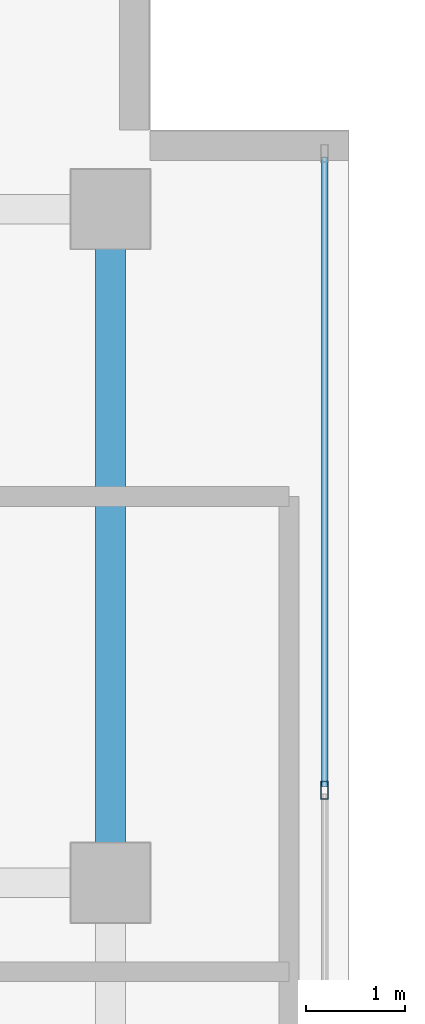
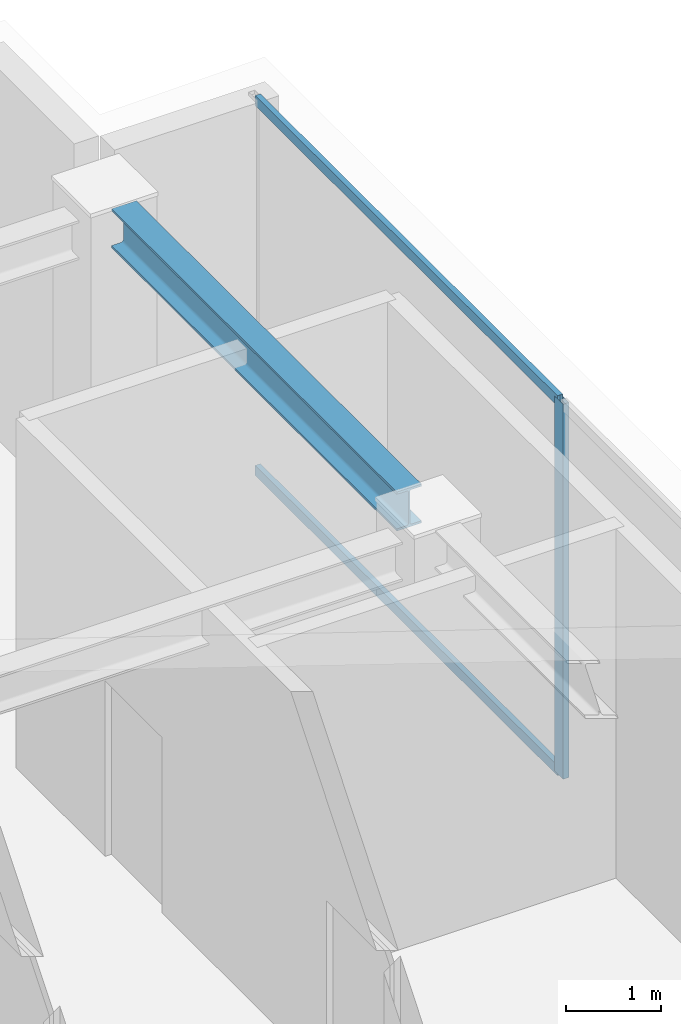
# One storey, part 17 of 22: 3 members, 1 beam, 1 element without a shape of its own.
"""IFC4 building model written with IfcOpenShell, lengths in metres."""

from ifc_helpers import new_model, si_unit, direction, frame, origin, origin_with_axes, origin_2d, place, context, subcontext, project, spatial, hollow_rectangle, i_section, extrude, source, transform, mapped, material, layer, layer_set, material_profile, profile_set, type_object, element, aggregate, save


model = new_model("IFC4")

# Units and contexts
model_context = context("Model", 3, precision=1e-05, world=origin(), true_north=direction((0.0, 1.0)))
body_context = subcontext(model_context, "Body", "Model", "MODEL_VIEW")
ifc_project = project(units=[si_unit("LENGTHUNIT", "METRE"), si_unit("AREAUNIT", "SQUARE_METRE"), si_unit("VOLUMEUNIT", "CUBIC_METRE"), si_unit("PLANEANGLEUNIT", "RADIAN"), si_unit("MASSUNIT", "GRAM", prefix="KILO")], contexts=[model_context])

# Site, building, storey
site_placement = place(None, origin())
site = spatial("IfcSite", under=ifc_project, at=site_placement, CompositionType="ELEMENT")
building_placement = place(site_placement, origin())
building = spatial("IfcBuilding", under=site, at=building_placement, Name="Kolvaren Waterfront Exchange", CompositionType="ELEMENT")
storey_placement = place(building_placement, frame((0.0, 0.0, 360.39990234375)))
storey = spatial("IfcBuildingStorey", under=building, at=storey_placement, Name="RF", CompositionType="ELEMENT", Elevation=360.39990234375)

# Beam
ifc_material_1 = material(Name="Steel S355", Category="steel")
ifc_material_profile_1 = material_profile(ifc_material_1, i_section(OverallWidth=0.300048828125, OverallDepth=0.5, WebThickness=0.014404296875, FlangeThickness=0.028076171875, FilletRadius=0.027099609375, at=origin_2d()), Name="HEB500")
ifc_profile_set_1 = profile_set([ifc_material_profile_1], Name="Steel S355")
beam_type = type_object("IfcBeamType", Name="STR-BM-HEB500", PredefinedType="BEAM", material=ifc_profile_set_1)
beam_placement = place(storey_placement, frame((18.800048828125, 38.201904296875, 4.49853515625), z_axis=(0.0, 1.0, 0.0), x_axis=(-1.0, 0.0, 0.0)))
element("IfcBeam", 1, at=beam_placement, inside=storey, type_object=beam_type, Name="RF crown roof girder 17", PredefinedType="SPANDREL", context=body_context, shape_type="SweptSolid", body=[
    extrude(i_section(OverallWidth=0.300048828125, OverallDepth=0.5, WebThickness=0.014404296875, FlangeThickness=0.028076171875, FilletRadius=0.027099609375, at=origin_2d()), origin(), (0.0, 0.0, 1.0), 5.99609375),
])

# Curtain wall, members
ifc_material_2 = material(Name="Anodised bronze aluminium 6063-T6", Category="aluminium")
ifc_layer = layer(ifc_material_2, 0.219970703125, Name="Anodised bronze aluminium 6063-T6")
ifc_layer_set = layer_set([ifc_layer], Name="Anodised bronze aluminium 6063-T6")
curtain_wall_type = type_object("IfcCurtainWallType", Name="ARC-CW-SYS5", PredefinedType="USERDEFINED", material=ifc_layer_set)
curtain_wall_placement = place(storey_placement, origin())
curtain_wall = element("IfcCurtainWall", 2, at=curtain_wall_placement, inside=storey, type_object=curtain_wall_type, Name="RF stick curtain wall CW5 (CW-RF-NE)", ObjectType="STICK CURTAIN WALL", PredefinedType="USERDEFINED")
ifc_material_profile_2 = material_profile(ifc_material_2, hollow_rectangle(XDim=0.074951171875, YDim=0.179931640625, WallThickness=0.00439453125, at=origin_2d()), Name="ALU-MUL-180x75x4.5")
ifc_profile_set_2 = profile_set([ifc_material_profile_2], Name="Anodised bronze aluminium 6063-T6")
member_type_1 = type_object("IfcMemberType", Name="ARC-CWM-180", PredefinedType="MULLION", material=ifc_profile_set_2)
shared_shape_1 = source(origin_with_axes(), body_context, "Body", "SweptSolid", [
    extrude(hollow_rectangle(XDim=0.074951171875, YDim=0.179931640625, WallThickness=0.00439453125, at=origin_2d()), origin(), (0.0, 0.0, 1.0), 4.81005859375),
])
member_1_placement = place(storey_placement, frame((20.9599609375, 38.7333984375, 0.0), z_axis=(0.0, 0.0, 1.0), x_axis=(-1.0, 0.0, 0.0)))
member_1 = element("IfcMember", 3, at=member_1_placement, type_object=member_type_1, Name="CW5 mullion 3", PredefinedType="MULLION", context=body_context, shape_type="MappedRepresentation", body=[
    mapped(shared_shape_1, transform((0.0, 0.0, 0.0), x_axis=(1.0, 0.0, 0.0), y_axis=(0.0, 1.0, 0.0), z_axis=(0.0, 0.0, 1.0), scale=1.0)),
])
ifc_material_profile_3 = material_profile(ifc_material_2, hollow_rectangle(XDim=0.06494140625, YDim=0.1298828125, WallThickness=0.00390625, at=origin_2d()), Name="ALU-TRN-130x65x4")
ifc_profile_set_3 = profile_set([ifc_material_profile_3], Name="Anodised bronze aluminium 6063-T6")
member_type_2 = type_object("IfcMemberType", Name="ARC-CWT-130", PredefinedType="USERDEFINED", material=ifc_profile_set_3)
shared_shape_2 = source(origin_with_axes(), body_context, "Body", "SweptSolid", [
    extrude(hollow_rectangle(XDim=0.06494140625, YDim=0.1298828125, WallThickness=0.00390625, at=origin_2d()), origin(), (0.0, 0.0, 1.0), 6.354248046875),
])
member_2_placement = place(storey_placement, frame((20.9599609375, 38.770751953125, 0.03271484375), z_axis=(0.0, 1.0, 0.0), x_axis=(-1.0, 0.0, 0.0)))
member_2 = element("IfcMember", 4, at=member_2_placement, type_object=member_type_2, Name="CW5 transom 3.1", ObjectType="TRANSOM", PredefinedType="USERDEFINED", context=body_context, shape_type="MappedRepresentation", body=[
    mapped(shared_shape_2, transform((0.0, 0.0, 0.0), x_axis=(1.0, 0.0, 0.0), y_axis=(0.0, 1.0, 0.0), z_axis=(0.0, 0.0, 1.0), scale=1.0)),
])
member_3_placement = place(storey_placement, frame((20.9599609375, 38.770751953125, 4.777587890625), z_axis=(0.0, 1.0, 0.0), x_axis=(-1.0, 0.0, 0.0)))
member_3 = element("IfcMember", 5, at=member_3_placement, type_object=member_type_2, Name="CW5 transom 3.2", ObjectType="TRANSOM", PredefinedType="USERDEFINED", context=body_context, shape_type="MappedRepresentation", body=[
    mapped(shared_shape_2, transform((0.0, 0.0, 0.0), x_axis=(1.0, 0.0, 0.0), y_axis=(0.0, 1.0, 0.0), z_axis=(0.0, 0.0, 1.0), scale=1.0)),
])
aggregate(curtain_wall, [member_1, member_2, member_3])

save(model, "model.ifc")
